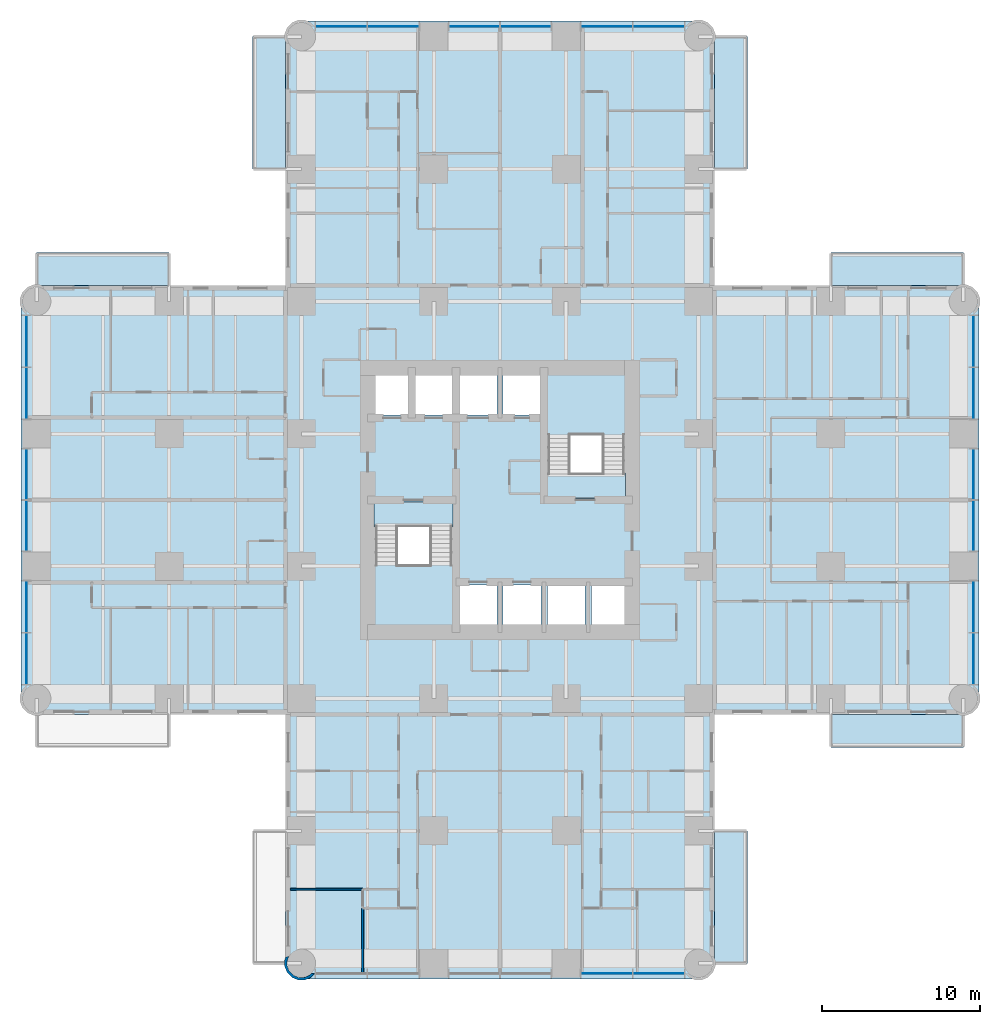
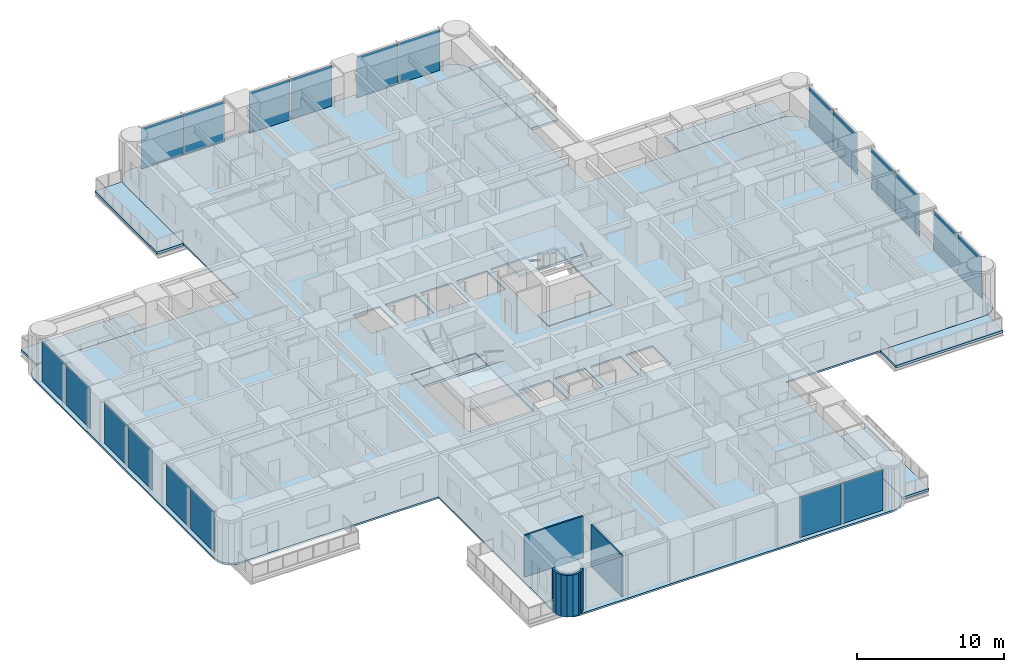
# One storey, part 6 of 17: 20 plates, 11 slabs, 3 walls, 6 elements without a shape of their own.
"""IFC4 building model written with IfcOpenShell, lengths in metres."""

from ifc_helpers import new_model, si_unit, direction, frame, frame_2d, origin, origin_2d, place, context, subcontext, project, spatial, polyline, rectangle, outline, extrude, material, layer, layer_set, type_object, element, aggregate, save


model = new_model("IFC4")

# Units and contexts
model_context = context("Model", 3, precision=1e-05, world=origin(), true_north=direction((0.0, 1.0)))
body_context = subcontext(model_context, "Body", "Model", "MODEL_VIEW")
ifc_project = project(units=[si_unit("LENGTHUNIT", "METRE"), si_unit("AREAUNIT", "SQUARE_METRE"), si_unit("VOLUMEUNIT", "CUBIC_METRE"), si_unit("PLANEANGLEUNIT", "RADIAN"), si_unit("MASSUNIT", "GRAM", prefix="KILO")], contexts=[model_context])

# Site, building, storey
site_placement = place(None, origin())
site = spatial("IfcSite", under=ifc_project, at=site_placement, CompositionType="ELEMENT")
building_placement = place(site_placement, origin())
building = spatial("IfcBuilding", under=site, at=building_placement, Name="Torre Alcanfor", CompositionType="ELEMENT")
storey_placement = place(building_placement, frame((0.0, 0.0, 63.300048828125)))
storey = spatial("IfcBuildingStorey", under=building, at=storey_placement, Name="L15", CompositionType="ELEMENT", Elevation=63.300048828125)

# Slabs
ifc_material_1 = material(Name="Concrete f'c 35 MPa", Category="concrete")
ifc_layer_1 = layer(ifc_material_1, 0.199951171875)
ifc_layer_set_1 = layer_set([ifc_layer_1], Name="Balcony slab 200")
slab_type_1 = type_object("IfcSlabType", Name="Balcony slab 200", PredefinedType="FLOOR", material=ifc_layer_set_1)
slab_1_placement = place(storey_placement, frame((0.0, 0.0, -0.199951171875)))
element("IfcSlab", 1, at=slab_1_placement, inside=storey, type_object=slab_type_1, Name="Balcony L15-N1", PredefinedType="FLOOR", context=body_context, shape_type="SweptSolid", body=[
    extrude(outline(polyline([(15.800048828125, 50.39990234375), (15.800048828125, 58.800048828125), (13.699951171875, 58.800048828125), (13.699951171875, 50.39990234375), (15.800048828125, 50.39990234375)])), origin(), (0.0, 0.0, 1.0), 0.199951171875),
])
slab_2_placement = place(storey_placement, frame((0.0, 0.0, -0.199951171875)))
element("IfcSlab", 2, at=slab_2_placement, inside=storey, type_object=slab_type_1, Name="Balcony L15-N2", PredefinedType="FLOOR", context=body_context, shape_type="SweptSolid", body=[
    extrude(outline(polyline([(45.10009765625, 50.39990234375), (45.10009765625, 58.800048828125), (43.0, 58.800048828125), (43.0, 50.39990234375), (45.10009765625, 50.39990234375)])), origin(), (0.0, 0.0, 1.0), 0.199951171875),
])
slab_3_placement = place(storey_placement, frame((0.0, 0.0, -0.199951171875)))
element("IfcSlab", 3, at=slab_3_placement, inside=storey, type_object=slab_type_1, Name="Balcony L15-E1", PredefinedType="FLOOR", context=body_context, shape_type="SweptSolid", body=[
    extrude(outline(polyline([(50.39990234375, 43.0), (58.800048828125, 43.0), (58.800048828125, 45.10009765625), (50.39990234375, 45.10009765625), (50.39990234375, 43.0)])), origin(), (0.0, 0.0, 1.0), 0.199951171875),
])
slab_4_placement = place(storey_placement, frame((0.0, 0.0, -0.199951171875)))
element("IfcSlab", 4, at=slab_4_placement, inside=storey, type_object=slab_type_1, Name="Balcony L15-E2", PredefinedType="FLOOR", context=body_context, shape_type="SweptSolid", body=[
    extrude(outline(polyline([(50.39990234375, 13.699951171875), (58.800048828125, 13.699951171875), (58.800048828125, 15.800048828125), (50.39990234375, 15.800048828125), (50.39990234375, 13.699951171875)])), origin(), (0.0, 0.0, 1.0), 0.199951171875),
])
slab_5_placement = place(storey_placement, frame((0.0, 0.0, -0.199951171875)))
element("IfcSlab", 5, at=slab_5_placement, inside=storey, type_object=slab_type_1, Name="Balcony L15-S1", PredefinedType="FLOOR", context=body_context, shape_type="SweptSolid", body=[
    extrude(outline(polyline([(43.0, 8.39990234375), (43.0, 0.0), (45.10009765625, 0.0), (45.10009765625, 8.39990234375), (43.0, 8.39990234375)])), origin(), (0.0, 0.0, 1.0), 0.199951171875),
])
slab_6_placement = place(storey_placement, frame((0.0, 0.0, -0.199951171875)))
element("IfcSlab", 6, at=slab_6_placement, inside=storey, type_object=slab_type_1, Name="Balcony L15-W2", PredefinedType="FLOOR", context=body_context, shape_type="SweptSolid", body=[
    extrude(outline(polyline([(8.39990234375, 45.10009765625), (0.0, 45.10009765625), (0.0, 43.0), (8.39990234375, 43.0), (8.39990234375, 45.10009765625)])), origin(), (0.0, 0.0, 1.0), 0.199951171875),
])

# Curtain wall, plates
ifc_material_2 = material(Name="Aluminium and glass", Category="aluminium")
curtain_wall_type = type_object("IfcCurtainWallType", Name="CW-A unitised apartment glazing with vertical FIN", PredefinedType="NOTDEFINED", material=ifc_material_2)
curtain_wall_1_placement = place(storey_placement, origin())
curtain_wall_1 = element("IfcCurtainWall", 7, at=curtain_wall_1_placement, inside=storey, type_object=curtain_wall_type, Name="Curtain wall CW-A L15 2", PredefinedType="NOTDEFINED")
ifc_material_3 = material(Name="Glass", Category="glass")
ifc_layer_2 = layer(ifc_material_3, 0.028076171875)
ifc_layer_set_2 = layer_set([ifc_layer_2], Name="CW-A clear double glazed unit")
plate_type = type_object("IfcPlateType", Name="CW-A clear double glazed unit", PredefinedType="CURTAIN_PANEL", material=ifc_layer_set_2)
plate_1_placement = place(storey_placement, frame((-0.64990234375, 39.484130859375, 0.0), z_axis=(0.0, 0.0, 1.0), x_axis=(0.0, -1.0, 0.0)))
plate_1 = element("IfcPlate", 8, at=plate_1_placement, type_object=plate_type, Name="CW-A panel 1.1.1", PredefinedType="CURTAIN_PANEL", context=body_context, shape_type="SweptSolid", body=[
    extrude(rectangle(XDim=3.232666015625, YDim=0.028076171875, at=origin_2d()), origin(), (0.0, 0.0, 1.0), 3.385009765625),
])
plate_2_placement = place(storey_placement, frame((-0.64990234375, 36.186279296875, 0.0), z_axis=(0.0, 0.0, 1.0), x_axis=(0.0, -1.0, 0.0)))
plate_2 = element("IfcPlate", 9, at=plate_2_placement, type_object=plate_type, Name="CW-A panel 1.2.1", PredefinedType="CURTAIN_PANEL", context=body_context, shape_type="SweptSolid", body=[
    extrude(rectangle(XDim=3.232666015625, YDim=0.028076171875, at=origin_2d()), origin(), (0.0, 0.0, 1.0), 3.385009765625),
])
plate_3_placement = place(storey_placement, frame((-0.64990234375, 31.03125, 0.0), z_axis=(0.0, 0.0, 1.0), x_axis=(0.0, -1.0, 0.0)))
plate_3 = element("IfcPlate", 10, at=plate_3_placement, type_object=plate_type, Name="CW-A panel 2.1.1", PredefinedType="CURTAIN_PANEL", context=body_context, shape_type="SweptSolid", body=[
    extrude(rectangle(XDim=3.197509765625, YDim=0.028076171875, at=origin_2d()), origin(), (0.0, 0.0, 1.0), 3.385009765625),
])
plate_4_placement = place(storey_placement, frame((-0.64990234375, 27.768798828125, 0.0), z_axis=(0.0, 0.0, 1.0), x_axis=(0.0, -1.0, 0.0)))
plate_4 = element("IfcPlate", 11, at=plate_4_placement, type_object=plate_type, Name="CW-A panel 2.2.1", PredefinedType="CURTAIN_PANEL", context=body_context, shape_type="SweptSolid", body=[
    extrude(rectangle(XDim=3.197509765625, YDim=0.028076171875, at=origin_2d()), origin(), (0.0, 0.0, 1.0), 3.385009765625),
])
plate_5_placement = place(storey_placement, frame((-0.64990234375, 22.613525390625, 0.0), z_axis=(0.0, 0.0, 1.0), x_axis=(0.0, -1.0, 0.0)))
plate_5 = element("IfcPlate", 12, at=plate_5_placement, type_object=plate_type, Name="CW-A panel 3.1.1", PredefinedType="CURTAIN_PANEL", context=body_context, shape_type="SweptSolid", body=[
    extrude(rectangle(XDim=3.232666015625, YDim=0.028076171875, at=origin_2d()), origin(), (0.0, 0.0, 1.0), 3.385009765625),
])
plate_6_placement = place(storey_placement, frame((-0.64990234375, 19.31591796875, 0.0), z_axis=(0.0, 0.0, 1.0), x_axis=(0.0, -1.0, 0.0)))
plate_6 = element("IfcPlate", 13, at=plate_6_placement, type_object=plate_type, Name="CW-A panel 3.2.1", PredefinedType="CURTAIN_PANEL", context=body_context, shape_type="SweptSolid", body=[
    extrude(rectangle(XDim=3.232666015625, YDim=0.028076171875, at=origin_2d()), origin(), (0.0, 0.0, 1.0), 3.385009765625),
])
aggregate(curtain_wall_1, [plate_1, plate_2, plate_3, plate_4, plate_5, plate_6])

curtain_wall_2_placement = place(storey_placement, origin())
curtain_wall_2 = element("IfcCurtainWall", 14, at=curtain_wall_2_placement, inside=storey, type_object=curtain_wall_type, Name="Curtain wall CW-A L15 5", PredefinedType="NOTDEFINED")
plate_7_placement = place(storey_placement, frame((36.186279296875, -0.64990234375, 0.0), z_axis=(0.0, 0.0, 1.0), x_axis=(1.0, 0.0, 0.0)))
plate_7 = element("IfcPlate", 15, at=plate_7_placement, type_object=plate_type, Name="CW-A panel 3.1.1", PredefinedType="CURTAIN_PANEL", context=body_context, shape_type="SweptSolid", body=[
    extrude(rectangle(XDim=3.232666015625, YDim=0.028076171875, at=origin_2d()), origin(), (0.0, 0.0, 1.0), 3.385009765625),
])
plate_8_placement = place(storey_placement, frame((39.484130859375, -0.64990234375, 0.0), z_axis=(0.0, 0.0, 1.0), x_axis=(1.0, 0.0, 0.0)))
plate_8 = element("IfcPlate", 16, at=plate_8_placement, type_object=plate_type, Name="CW-A panel 3.2.1", PredefinedType="CURTAIN_PANEL", context=body_context, shape_type="SweptSolid", body=[
    extrude(rectangle(XDim=3.232666015625, YDim=0.028076171875, at=origin_2d()), origin(), (0.0, 0.0, 1.0), 3.385009765625),
])
aggregate(curtain_wall_2, [plate_7, plate_8])

curtain_wall_3_placement = place(storey_placement, origin())
curtain_wall_3 = element("IfcCurtainWall", 17, at=curtain_wall_3_placement, inside=storey, type_object=curtain_wall_type, Name="Curtain wall CW-A L15 8", PredefinedType="NOTDEFINED")
plate_9_placement = place(storey_placement, frame((59.449951171875, 19.31591796875, 0.0), z_axis=(0.0, 0.0, 1.0), x_axis=(0.0, 1.0, 0.0)))
plate_9 = element("IfcPlate", 18, at=plate_9_placement, type_object=plate_type, Name="CW-A panel 1.1.1", PredefinedType="CURTAIN_PANEL", context=body_context, shape_type="SweptSolid", body=[
    extrude(rectangle(XDim=3.232666015625, YDim=0.028076171875, at=origin_2d()), origin(), (0.0, 0.0, 1.0), 3.385009765625),
])
plate_10_placement = place(storey_placement, frame((59.449951171875, 22.613525390625, 0.0), z_axis=(0.0, 0.0, 1.0), x_axis=(0.0, 1.0, 0.0)))
plate_10 = element("IfcPlate", 19, at=plate_10_placement, type_object=plate_type, Name="CW-A panel 1.2.1", PredefinedType="CURTAIN_PANEL", context=body_context, shape_type="SweptSolid", body=[
    extrude(rectangle(XDim=3.232666015625, YDim=0.028076171875, at=origin_2d()), origin(), (0.0, 0.0, 1.0), 3.385009765625),
])
plate_11_placement = place(storey_placement, frame((59.449951171875, 27.768798828125, 0.0), z_axis=(0.0, 0.0, 1.0), x_axis=(0.0, 1.0, 0.0)))
plate_11 = element("IfcPlate", 20, at=plate_11_placement, type_object=plate_type, Name="CW-A panel 2.1.1", PredefinedType="CURTAIN_PANEL", context=body_context, shape_type="SweptSolid", body=[
    extrude(rectangle(XDim=3.197509765625, YDim=0.028076171875, at=origin_2d()), origin(), (0.0, 0.0, 1.0), 3.385009765625),
])
plate_12_placement = place(storey_placement, frame((59.449951171875, 31.03125, 0.0), z_axis=(0.0, 0.0, 1.0), x_axis=(0.0, 1.0, 0.0)))
plate_12 = element("IfcPlate", 21, at=plate_12_placement, type_object=plate_type, Name="CW-A panel 2.2.1", PredefinedType="CURTAIN_PANEL", context=body_context, shape_type="SweptSolid", body=[
    extrude(rectangle(XDim=3.197509765625, YDim=0.028076171875, at=origin_2d()), origin(), (0.0, 0.0, 1.0), 3.385009765625),
])
plate_13_placement = place(storey_placement, frame((59.449951171875, 36.186279296875, 0.0), z_axis=(0.0, 0.0, 1.0), x_axis=(0.0, 1.0, 0.0)))
plate_13 = element("IfcPlate", 22, at=plate_13_placement, type_object=plate_type, Name="CW-A panel 3.1.1", PredefinedType="CURTAIN_PANEL", context=body_context, shape_type="SweptSolid", body=[
    extrude(rectangle(XDim=3.232666015625, YDim=0.028076171875, at=origin_2d()), origin(), (0.0, 0.0, 1.0), 3.385009765625),
])
plate_14_placement = place(storey_placement, frame((59.449951171875, 39.484130859375, 0.0), z_axis=(0.0, 0.0, 1.0), x_axis=(0.0, 1.0, 0.0)))
plate_14 = element("IfcPlate", 23, at=plate_14_placement, type_object=plate_type, Name="CW-A panel 3.2.1", PredefinedType="CURTAIN_PANEL", context=body_context, shape_type="SweptSolid", body=[
    extrude(rectangle(XDim=3.232666015625, YDim=0.028076171875, at=origin_2d()), origin(), (0.0, 0.0, 1.0), 3.385009765625),
])
aggregate(curtain_wall_3, [plate_9, plate_10, plate_11, plate_12, plate_13, plate_14])

curtain_wall_4_placement = place(storey_placement, origin())
curtain_wall_4 = element("IfcCurtainWall", 24, at=curtain_wall_4_placement, inside=storey, type_object=curtain_wall_type, Name="Curtain wall CW-A L15 11", PredefinedType="NOTDEFINED")
plate_15_placement = place(storey_placement, frame((39.484130859375, 59.449951171875, 0.0), z_axis=(0.0, 0.0, 1.0), x_axis=(-1.0, 0.0, 0.0)))
plate_15 = element("IfcPlate", 25, at=plate_15_placement, type_object=plate_type, Name="CW-A panel 1.1.1", PredefinedType="CURTAIN_PANEL", context=body_context, shape_type="SweptSolid", body=[
    extrude(rectangle(XDim=3.232666015625, YDim=0.028076171875, at=origin_2d()), origin(), (0.0, 0.0, 1.0), 3.385009765625),
])
plate_16_placement = place(storey_placement, frame((36.186279296875, 59.449951171875, 0.0), z_axis=(0.0, 0.0, 1.0), x_axis=(-1.0, 0.0, 0.0)))
plate_16 = element("IfcPlate", 26, at=plate_16_placement, type_object=plate_type, Name="CW-A panel 1.2.1", PredefinedType="CURTAIN_PANEL", context=body_context, shape_type="SweptSolid", body=[
    extrude(rectangle(XDim=3.232666015625, YDim=0.028076171875, at=origin_2d()), origin(), (0.0, 0.0, 1.0), 3.385009765625),
])
plate_17_placement = place(storey_placement, frame((31.03125, 59.449951171875, 0.0), z_axis=(0.0, 0.0, 1.0), x_axis=(-1.0, 0.0, 0.0)))
plate_17 = element("IfcPlate", 27, at=plate_17_placement, type_object=plate_type, Name="CW-A panel 2.1.1", PredefinedType="CURTAIN_PANEL", context=body_context, shape_type="SweptSolid", body=[
    extrude(rectangle(XDim=3.197509765625, YDim=0.028076171875, at=origin_2d()), origin(), (0.0, 0.0, 1.0), 3.385009765625),
])
plate_18_placement = place(storey_placement, frame((27.768798828125, 59.449951171875, 0.0), z_axis=(0.0, 0.0, 1.0), x_axis=(-1.0, 0.0, 0.0)))
plate_18 = element("IfcPlate", 28, at=plate_18_placement, type_object=plate_type, Name="CW-A panel 2.2.1", PredefinedType="CURTAIN_PANEL", context=body_context, shape_type="SweptSolid", body=[
    extrude(rectangle(XDim=3.197509765625, YDim=0.028076171875, at=origin_2d()), origin(), (0.0, 0.0, 1.0), 3.385009765625),
])
plate_19_placement = place(storey_placement, frame((22.613525390625, 59.449951171875, 0.0), z_axis=(0.0, 0.0, 1.0), x_axis=(-1.0, 0.0, 0.0)))
plate_19 = element("IfcPlate", 29, at=plate_19_placement, type_object=plate_type, Name="CW-A panel 3.1.1", PredefinedType="CURTAIN_PANEL", context=body_context, shape_type="SweptSolid", body=[
    extrude(rectangle(XDim=3.232666015625, YDim=0.028076171875, at=origin_2d()), origin(), (0.0, 0.0, 1.0), 3.385009765625),
])
plate_20_placement = place(storey_placement, frame((19.31591796875, 59.449951171875, 0.0), z_axis=(0.0, 0.0, 1.0), x_axis=(-1.0, 0.0, 0.0)))
plate_20 = element("IfcPlate", 30, at=plate_20_placement, type_object=plate_type, Name="CW-A panel 3.2.1", PredefinedType="CURTAIN_PANEL", context=body_context, shape_type="SweptSolid", body=[
    extrude(rectangle(XDim=3.232666015625, YDim=0.028076171875, at=origin_2d()), origin(), (0.0, 0.0, 1.0), 3.385009765625),
])
aggregate(curtain_wall_4, [plate_15, plate_16, plate_17, plate_18, plate_19, plate_20])

# Slab
ifc_material_4 = material(Name="Concrete f'c 35 MPa", Category="concrete")
ifc_layer_3 = layer(ifc_material_4, 0.14990234375)
ifc_layer_set_3 = layer_set([ifc_layer_3], Name="Composite floor 150 on metal deck")
slab_type_2 = type_object("IfcSlabType", Name="Composite floor 150 on metal deck", PredefinedType="FLOOR", material=ifc_layer_set_3)
slab_7_placement = place(storey_placement, frame((0.0, 0.0, -0.150146484375)))
element("IfcSlab", 31, at=slab_7_placement, inside=storey, type_object=slab_type_2, Name="Floor slab L15", PredefinedType="FLOOR", context=body_context, shape_type="SweptSolid", body=[
    extrude(outline(polyline([(15.800048828125, 43.0), (0.39990234375, 43.0), (0.03759765625, 42.952392578125), (-0.300048828125, 42.8125), (-0.58984375, 42.58984375), (-0.8125, 42.300048828125), (-0.952392578125, 41.96240234375), (-1.0, 41.60009765625), (-1.0, 17.199951171875), (-0.952392578125, 16.837646484375), (-0.8125, 16.5), (-0.58984375, 16.210205078125), (-0.300048828125, 15.987548828125), (0.03759765625, 15.84765625), (0.39990234375, 15.800048828125), (15.800048828125, 15.800048828125), (15.800048828125, 0.39990234375), (15.84765625, 0.03759765625), (15.987548828125, -0.300048828125), (16.210205078125, -0.58984375), (16.5, -0.8125), (16.837646484375, -0.952392578125), (17.199951171875, -1.0), (41.60009765625, -1.0), (41.96240234375, -0.952392578125), (42.300048828125, -0.8125), (42.58984375, -0.58984375), (42.8125, -0.300048828125), (42.952392578125, 0.03759765625), (43.0, 0.39990234375), (43.0, 15.800048828125), (58.39990234375, 15.800048828125), (58.76220703125, 15.84765625), (59.10009765625, 15.987548828125), (59.389892578125, 16.210205078125), (59.6123046875, 16.5), (59.752197265625, 16.837646484375), (59.800048828125, 17.199951171875), (59.800048828125, 41.60009765625), (59.752197265625, 41.96240234375), (59.6123046875, 42.300048828125), (59.389892578125, 42.58984375), (59.10009765625, 42.8125), (58.76220703125, 42.952392578125), (58.39990234375, 43.0), (43.0, 43.0), (43.0, 58.39990234375), (42.952392578125, 58.76220703125), (42.8125, 59.10009765625), (42.58984375, 59.389892578125), (42.300048828125, 59.6123046875), (41.96240234375, 59.752197265625), (41.60009765625, 59.800048828125), (17.199951171875, 59.800048828125), (16.837646484375, 59.752197265625), (16.5, 59.6123046875), (16.210205078125, 59.389892578125), (15.987548828125, 59.10009765625), (15.84765625, 58.76220703125), (15.800048828125, 58.39990234375), (15.800048828125, 43.0)]), holes=[polyline([(21.419921875, 21.419921875), (26.47998046875, 21.419921875), (26.47998046875, 29.280029296875), (21.419921875, 29.280029296875), (21.419921875, 21.419921875)]), polyline([(32.320068359375, 29.52001953125), (37.3798828125, 29.52001953125), (37.3798828125, 37.3798828125), (32.320068359375, 37.3798828125), (32.320068359375, 29.52001953125)]), polyline([(26.800048828125, 21.5), (29.199951171875, 21.5), (29.199951171875, 24.0), (26.800048828125, 24.0), (26.800048828125, 21.5)]), polyline([(29.60009765625, 21.5), (32.0, 21.5), (32.0, 24.0), (29.60009765625, 24.0), (29.60009765625, 21.5)]), polyline([(32.39990234375, 21.5), (34.800048828125, 21.5), (34.800048828125, 24.0), (32.39990234375, 24.0), (32.39990234375, 21.5)]), polyline([(35.199951171875, 21.5), (37.300048828125, 21.5), (37.300048828125, 24.0), (35.199951171875, 24.0), (35.199951171875, 21.5)]), polyline([(21.5, 34.800048828125), (23.60009765625, 34.800048828125), (23.60009765625, 37.300048828125), (21.5, 37.300048828125), (21.5, 34.800048828125)]), polyline([(24.0, 34.800048828125), (26.39990234375, 34.800048828125), (26.39990234375, 37.300048828125), (24.0, 37.300048828125), (24.0, 34.800048828125)]), polyline([(26.800048828125, 34.800048828125), (29.199951171875, 34.800048828125), (29.199951171875, 37.300048828125), (26.800048828125, 37.300048828125), (26.800048828125, 34.800048828125)]), polyline([(29.60009765625, 34.800048828125), (32.0, 34.800048828125), (32.0, 37.300048828125), (29.60009765625, 37.300048828125), (29.60009765625, 34.800048828125)])]), origin(), (0.0, 0.0, 1.0), 0.150146484375),
])

# Stair, slabs
ifc_material_5 = material(Name="Concrete f'c 35 MPa", Category="concrete")
stair_type_1 = type_object("IfcStairType", Name="Exit stair S1 1400 wide", PredefinedType="HALF_TURN_STAIR", material=ifc_material_5)
stair_1_placement = place(storey_placement, origin())
stair_1 = element("IfcStair", 32, at=stair_1_placement, inside=storey, type_object=stair_type_1, Name="Stair S1 L15 to L16", PredefinedType="HALF_TURN_STAIR")
ifc_material_6 = material(Name="Concrete f'c 35 MPa", Category="concrete")
ifc_layer_4 = layer(ifc_material_6, 0.199951171875)
ifc_layer_set_4 = layer_set([ifc_layer_4], Name="Stair landing 200")
slab_type_3 = type_object("IfcSlabType", Name="Stair landing 200", PredefinedType="LANDING", material=ifc_layer_set_4)
slab_8_placement = place(storey_placement, frame((0.0, 0.0, -0.199951171875)))
slab_8 = element("IfcSlab", 33, at=slab_8_placement, type_object=slab_type_3, Name="S1 landing 1", PredefinedType="LANDING", context=body_context, shape_type="SweptSolid", body=[
    extrude(outline(polyline([(21.419921875, 27.699951171875), (26.429931640625, 27.699951171875), (26.429931640625, 29.22998046875), (21.419921875, 29.22998046875), (21.419921875, 27.699951171875)])), origin(), (0.0, 0.0, 1.0), 0.199951171875),
])
slab_9_placement = place(storey_placement, frame((0.0, 0.0, 1.599853515625)))
slab_9 = element("IfcSlab", 34, at=slab_9_placement, type_object=slab_type_3, Name="S1 landing 2", PredefinedType="LANDING", context=body_context, shape_type="SweptSolid", body=[
    extrude(outline(polyline([(21.419921875, 21.419921875), (26.429931640625, 21.419921875), (26.429931640625, 25.280029296875), (21.419921875, 25.280029296875), (21.419921875, 21.419921875)])), origin(), (0.0, 0.0, 1.0), 0.2001953125),
])
aggregate(stair_1, [slab_8, slab_9])

ifc_material_7 = material(Name="Concrete f'c 35 MPa", Category="concrete")
stair_type_2 = type_object("IfcStairType", Name="Exit stair S2 1400 wide", PredefinedType="HALF_TURN_STAIR", material=ifc_material_7)
stair_2_placement = place(storey_placement, origin())
stair_2 = element("IfcStair", 35, at=stair_2_placement, inside=storey, type_object=stair_type_2, Name="Stair S2 L15 to L16", PredefinedType="HALF_TURN_STAIR")
slab_10_placement = place(storey_placement, frame((0.0, 0.0, -0.199951171875)))
slab_10 = element("IfcSlab", 36, at=slab_10_placement, type_object=slab_type_3, Name="S2 landing 1", PredefinedType="LANDING", context=body_context, shape_type="SweptSolid", body=[
    extrude(outline(polyline([(32.3701171875, 29.570068359375), (37.3798828125, 29.570068359375), (37.3798828125, 31.10009765625), (32.3701171875, 31.10009765625), (32.3701171875, 29.570068359375)])), origin(), (0.0, 0.0, 1.0), 0.199951171875),
])
slab_11_placement = place(storey_placement, frame((0.0, 0.0, 1.599853515625)))
slab_11 = element("IfcSlab", 37, at=slab_11_placement, type_object=slab_type_3, Name="S2 landing 2", PredefinedType="LANDING", context=body_context, shape_type="SweptSolid", body=[
    extrude(outline(polyline([(32.3701171875, 33.52001953125), (37.3798828125, 33.52001953125), (37.3798828125, 37.3798828125), (32.3701171875, 37.3798828125), (32.3701171875, 33.52001953125)])), origin(), (0.0, 0.0, 1.0), 0.2001953125),
])
aggregate(stair_2, [slab_10, slab_11])

# Walls
ifc_material_8 = material(Name="Gypsum board on steel studs", Category="steel")
ifc_layer_5 = layer(ifc_material_8, 0.1201171875)
ifc_layer_set_5 = layer_set([ifc_layer_5], Name="Apartment partition 120")
wall_type_1 = type_object("IfcWallType", Name="Apartment partition 120", PredefinedType="PARTITIONING", material=ifc_layer_set_5)
wall_1_placement = place(storey_placement, frame((20.68603515625, 4.699951171875, 0.0), z_axis=(0.0, 0.0, 1.0), x_axis=(-1.0, 0.0, 0.0)))
element("IfcWall", 38, at=wall_1_placement, inside=storey, type_object=wall_type_1, Name="Partition L15-S2-BED3 / L15-S2-MASTER", PredefinedType="PARTITIONING", context=body_context, shape_type="SweptSolid", body=[
    extrude(rectangle(XDim=4.5859375, YDim=0.1201171875, at=frame_2d((2.29296875, 0.0))), origin(), (0.0, 0.0, 1.0), 3.449951171875),
])
wall_2_placement = place(storey_placement, frame((20.68603515625, -0.64990234375, 0.0), z_axis=(0.0, 0.0, 1.0), x_axis=(0.0, 1.0, 0.0)))
element("IfcWall", 39, at=wall_2_placement, inside=storey, type_object=wall_type_1, Name="Partition L15-S2-BED2 / L15-S2-MASTER", PredefinedType="PARTITIONING", context=body_context, shape_type="SweptSolid", body=[
    extrude(rectangle(XDim=4.14990234375, YDim=0.1201171875, at=frame_2d((2.074951171875, 0.0))), origin(), (0.0, 0.0, 1.0), 3.449951171875),
])
ifc_material_9 = material(Name="Limestone cladding", Category="masonry")
ifc_layer_6 = layer(ifc_material_9, 0.0400390625, Name="Facing")
ifc_material_10 = material(Name="Ventilated air cavity")
ifc_layer_7 = layer(ifc_material_10, 0.02001953125, ventilated=True, Name="Ventilated joint")
ifc_material_11 = material(Name="Mineral wool insulation", Category="insulation")
ifc_layer_8 = layer(ifc_material_11, 0.10009765625, Name="Insulation")
ifc_material_12 = material(Name="Concrete f'c 35 MPa", Category="concrete")
ifc_layer_9 = layer(ifc_material_12, 0.139892578125, Name="Backing")
ifc_layer_set_6 = layer_set([ifc_layer_6, ifc_layer_7, ifc_layer_8, ifc_layer_9], Name="Rounded corner pier stone-clad 300")
wall_type_2 = type_object("IfcWallType", Name="Rounded corner pier stone-clad 300", PredefinedType="SOLIDWALL", material=ifc_layer_set_6)
wall_3_placement = place(storey_placement, frame((15.890092843, 0.363962863, 0.0), z_axis=(0.0, 0.0, 1.0), x_axis=(-0.377204953059, -0.926129809145, 0.0)))
element("IfcWall", 40, at=wall_3_placement, inside=storey, type_object=wall_type_2, Name="Corner pier L15 15", PredefinedType="SOLIDWALL", context=body_context, shape_type="SweptSolid", body=[
    extrude(outline(polyline([(0.36025406326845444, 1.8033251535395152), (0.5088520451897254, 1.7407402151136773), (0.7605729288027181, 1.4858036812916837), (0.8957625945963965, 1.1538802047718164), (0.8938847377533284, 0.7953914035812757), (0.7547773157275899, 0.46510295554213366), (0.4997067670481534, 0.21306387496571194), (0.16778329052828606, 0.07787420917203358), (-0.09994023900030424, 0.0795504548732244), (0.0006804239564057041, -0.09694899646014049), (0.029999294732247404, -0.08026261581225796), (0.19856690358048068, -0.0812004843578153), (0.5888257049928043, 0.07774867310804906), (0.8888185520201115, 0.37418200048294215), (1.0525847078153452, 0.7630186897929918), (1.0551554850896743, 1.184529802966568), (0.896114236570817, 1.5750147102893275), (0.7776681844062314, 1.6949582431572732), (0.7691216165340404, 1.727592391840862), (0.7502462480266835, 1.7228043636692119), (0.599680909195924, 1.8750075573166347), (0.2945300212676607, 2.0035278056043833), (0.2809636666415082, 1.9980023424248052), (0.36025406326845444, 1.8033251535395152)])), origin(), (0.0, 0.0, 1.0), 3.449951171875),
])

save(model, "model.ifc")
